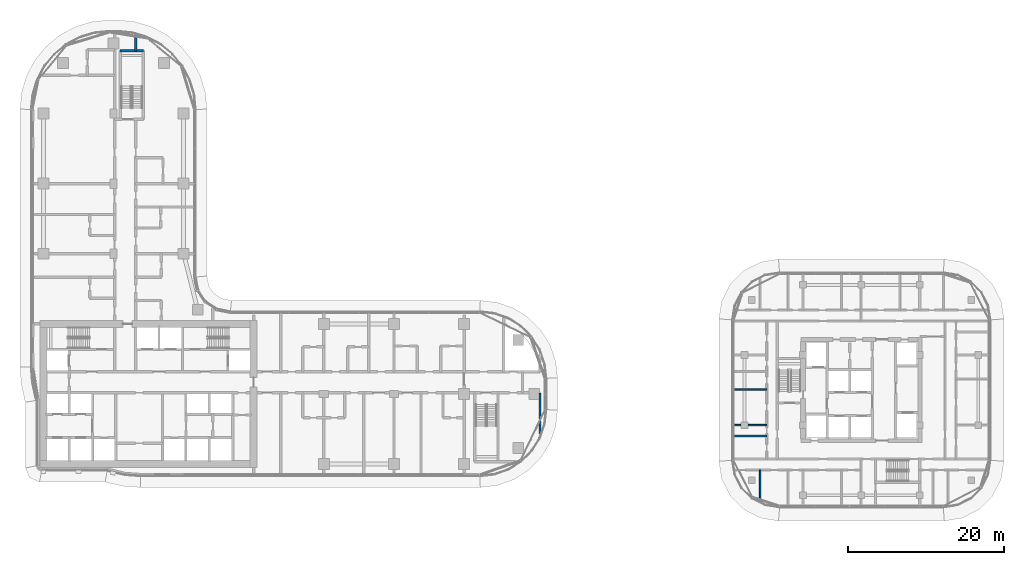
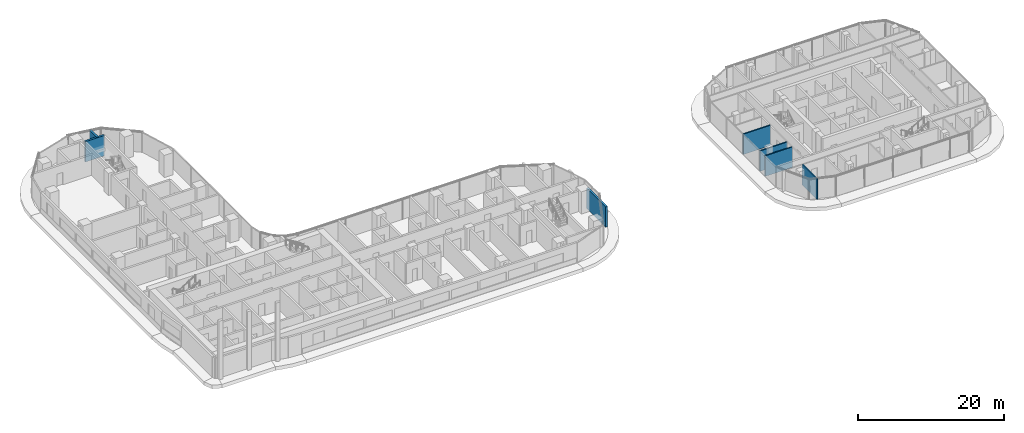
# One storey, part 21 of 36: 7 walls.
"""IFC4 building model written with IfcOpenShell, lengths in metres."""

from ifc_helpers import new_model, si_unit, direction, frame, frame_2d, origin, place, context, subcontext, project, spatial, rectangle, extrude, material, layer, layer_set, type_object, element, save


model = new_model("IFC4")

# Units and contexts
model_context = context("Model", 3, precision=1e-05, world=origin(), true_north=direction((0.0, 1.0)))
body_context = subcontext(model_context, "Body", "Model", "MODEL_VIEW")
ifc_project = project(units=[si_unit("LENGTHUNIT", "METRE"), si_unit("AREAUNIT", "SQUARE_METRE"), si_unit("VOLUMEUNIT", "CUBIC_METRE"), si_unit("PLANEANGLEUNIT", "RADIAN"), si_unit("MASSUNIT", "GRAM", prefix="KILO")], contexts=[model_context])

# Site, building, storey
site_placement = place(None, origin())
site = spatial("IfcSite", under=ifc_project, at=site_placement, CompositionType="ELEMENT")
building_placement = place(site_placement, origin())
building = spatial("IfcBuilding", under=site, at=building_placement, Name="Ogive Portal Towers", CompositionType="ELEMENT")
storey_placement = place(building_placement, frame((0.0, 0.0, 70.5)))
storey = spatial("IfcBuildingStorey", under=building, at=storey_placement, Name="L16", CompositionType="ELEMENT", Elevation=70.5)

# Walls
ifc_material_1 = material(Name="Concrete C50/60", Category="concrete")
ifc_layer_1 = layer(ifc_material_1, 0.300048828125)
ifc_layer_set_1 = layer_set([ifc_layer_1], Name="STAIR WALL 300 C50")
wall_type_1 = type_object("IfcWallType", Name="STAIR WALL 300 C50", PredefinedType="SHEAR", material=ifc_layer_set_1)
wall_1_placement = place(storey_placement, frame((41.35009765625, 74.550048828125, 0.0), z_axis=(0.0, 0.0, 1.0), x_axis=(1.0, 0.0, 0.0)))
element("IfcWall", 1, at=wall_1_placement, inside=storey, type_object=wall_type_1, Name="Stair wall ST-A3 L16", PredefinedType="SHEAR", context=body_context, shape_type="SweptSolid", body=[
    extrude(rectangle(XDim=3.0, YDim=0.300048828125, at=frame_2d((1.5, 0.0))), origin(), (0.0, 0.0, 1.0), 3.39990234375),
])
ifc_material_2 = material(Name="Gypsum board partition on steel studs", Category="steel")
ifc_layer_2 = layer(ifc_material_2, 0.199951171875)
ifc_layer_set_2 = layer_set([ifc_layer_2], Name="WT-PART-200-EI 60")
wall_type_2 = type_object("IfcWallType", Name="WT-PART-200-EI 60", PredefinedType="PARTITIONING", material=ifc_layer_set_2)
for number, where, z_axis, x_axis, name in (
    (2, (120.070068359375, 25.10595703125, 0.0), (0.0, 0.0, 1.0), (1.0, 0.0, 0.0), "Wall L16:w007"),
    (3, (120.070068359375, 26.5, 0.0), (0.0, 0.0, 1.0), (1.0, 0.0, 0.0), "Wall L16:w008"),
    (4, (120.070068359375, 31.091064453125, 0.0), (0.0, 0.0, 1.0), (1.0, 0.0, 0.0), "Wall L16:w011"),
):
    element("IfcWall", number, at=place(storey_placement, frame(where, z_axis=z_axis, x_axis=x_axis)), inside=storey, type_object=wall_type_2, Name=name, PredefinedType="PARTITIONING", context=body_context, shape_type="SweptSolid", body=[
        extrude(rectangle(XDim=4.280029296875, YDim=0.199951171875, at=frame_2d((2.14013671875, 0.0))), origin(), (0.0, 0.0, 1.0), 3.39990234375),
    ])
wall_2_placement = place(storey_placement, frame((123.5, 16.700927734375, 0.0), z_axis=(0.0, 0.0, 1.0), x_axis=(0.0, 1.0, 0.0)))
element("IfcWall", 5, at=wall_2_placement, inside=storey, type_object=wall_type_2, Name="Wall L16:w022", PredefinedType="PARTITIONING", context=body_context, shape_type="SweptSolid", body=[
    extrude(rectangle(XDim=4.049072265625, YDim=0.199951171875, at=frame_2d((2.0244140625, 0.0))), origin(), (0.0, 0.0, 1.0), 3.39990234375),
])
ifc_layer_3 = layer(ifc_material_2, 0.300048828125)
ifc_layer_set_3 = layer_set([ifc_layer_3], Name="WT-PART-300-EI 60")
wall_type_3 = type_object("IfcWallType", Name="WT-PART-300-EI 60", PredefinedType="PARTITIONING", material=ifc_layer_set_3)
wall_3_placement = place(storey_placement, frame((95.25, 25.386962890625, 0.0), z_axis=(0.0, 0.0, 1.0), x_axis=(0.0, 1.0, 0.0)))
element("IfcWall", 6, at=wall_3_placement, inside=storey, type_object=wall_type_3, Name="Wall L16:w065", PredefinedType="PARTITIONING", context=body_context, shape_type="SweptSolid", body=[
    extrude(rectangle(XDim=5.262939453125, YDim=0.300048828125, at=frame_2d((2.63134765625, 0.0))), origin(), (0.0, 0.0, 1.0), 3.39990234375),
])
ifc_material_3 = material(Name="Concrete C40/50", Category="concrete")
ifc_layer_4 = layer(ifc_material_3, 0.300048828125)
ifc_layer_set_4 = layer_set([ifc_layer_4], Name="WT-SHAFT-300")
wall_type_4 = type_object("IfcWallType", Name="WT-SHAFT-300", PredefinedType="SOLIDWALL", material=ifc_layer_set_4)
wall_4_placement = place(storey_placement, frame((43.35009765625, 74.550048828125, 0.0), z_axis=(0.0, 0.0, 1.0), x_axis=(0.0, 1.0, 0.0)))
element("IfcWall", 7, at=wall_4_placement, inside=storey, type_object=wall_type_4, Name="Wall L16:w036", PredefinedType="SOLIDWALL", context=body_context, shape_type="SweptSolid", body=[
    extrude(rectangle(XDim=2.02197265625, YDim=0.300048828125, at=frame_2d((1.010986328125, 0.0))), origin(), (0.0, 0.0, 1.0), 3.39990234375),
])

save(model, "model.ifc")
